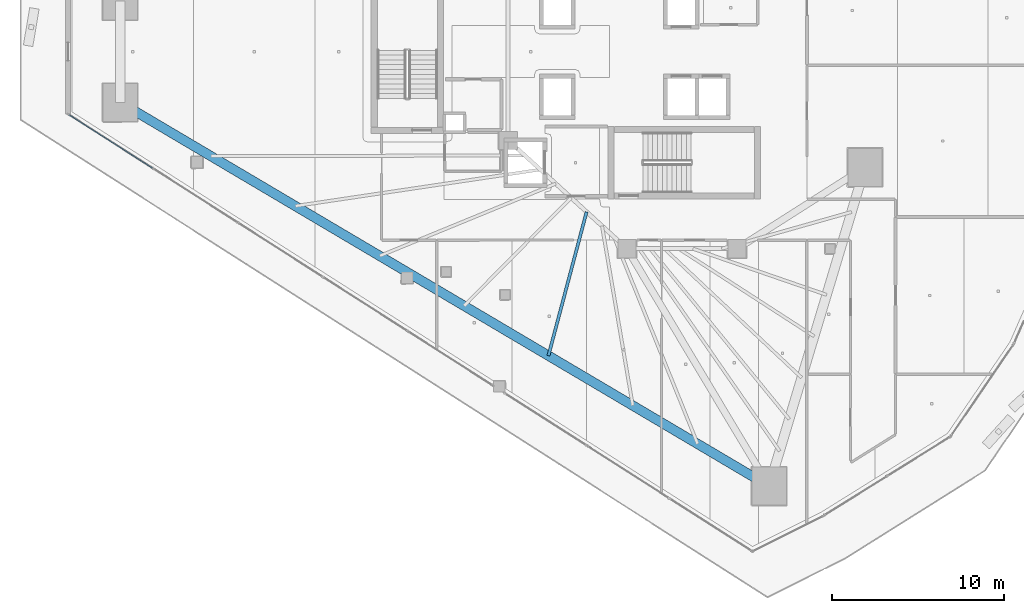
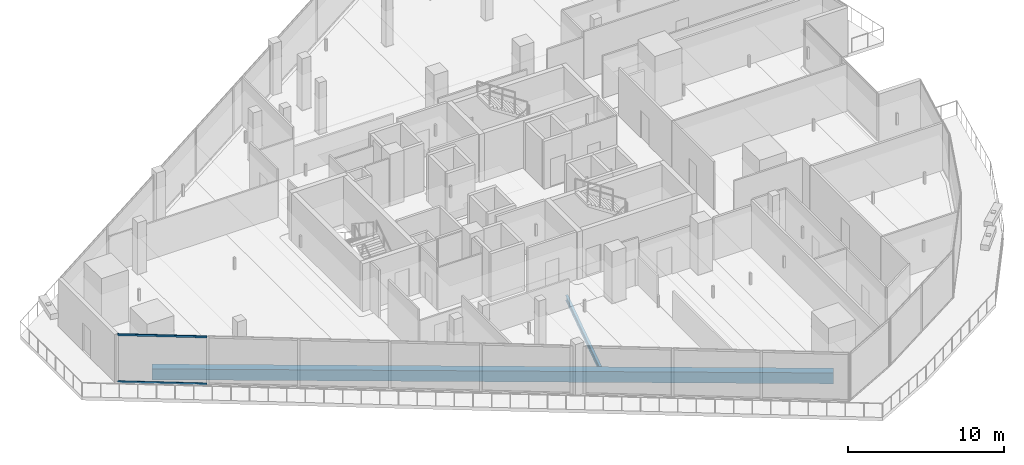
# One storey, part 3 of 36: 2 beams, 2 members, 1 element without a shape of its own.
"""IFC4 building model written with IfcOpenShell, lengths in metres."""

import ifcopenshell
import ifcopenshell.guid

model = None  # the IFC model being written
_history = None  # IfcOwnerHistory: only IFC2X3 demands one
_inside = {}  # id of a spatial element -> (the spatial element, [elements in it])
_under = {}  # id of a project, library or spatial element -> (it, [spatial elements below it])
_declared = {}  # id of a project -> (the project, [libraries it declares])
_typed = {}  # id of a type object -> (the type object, [elements of that type])
_made_of = {}  # id of a material, layer set ... -> (it, [elements and type objects made of it])


def new_model(schema):
    """Start an empty IFC model of exactly this schema.

    Asked for "IFC4X3", IfcOpenShell would pick the latest addendum, in which some entities
    have other attributes; the version numbers below select the first issue.
    IFC2X3 requires an IfcOwnerHistory on every rooted entity: one is made here for all.
    """
    global model, _history
    if schema == "IFC4X3":
        model = ifcopenshell.file(schema_version=(4, 3, 0, 0))
    else:
        model = ifcopenshell.file(schema=schema)
    _inside.clear()
    _under.clear()
    _declared.clear()
    _typed.clear()
    _made_of.clear()
    _history = None
    if model.schema == "IFC2X3":
        org = make("IfcOrganization", Name="unknown")
        user = make(
            "IfcPersonAndOrganization",
            ThePerson=make("IfcPerson", FamilyName="unknown"),
            TheOrganization=org,
        )
        app = make(
            "IfcApplication",
            ApplicationDeveloper=org,
            Version="unknown",
            ApplicationFullName="unknown",
            ApplicationIdentifier="unknown",
        )
        _history = make(
            "IfcOwnerHistory",
            OwningUser=user,
            OwningApplication=app,
            ChangeAction="ADDED",
            CreationDate=0,
        )
    return model


def make(cls, **values):
    """One entity of the class cls with the attributes given. An attribute that is None is left unset."""
    return model.create_entity(
        cls, **{name: value for name, value in values.items() if value is not None}
    )


def rooted(cls, **values):
    """An entity with a GlobalId (a new one), such as an element, a storey or a relation."""
    return make(cls, GlobalId=ifcopenshell.guid.new(), OwnerHistory=_history, **values)


def si_unit(unit_type, name, prefix=None):
    """IfcSIUnit, for example si_unit("LENGTHUNIT", "METRE", prefix="MILLI")."""
    return make("IfcSIUnit", UnitType=unit_type, Prefix=prefix, Name=name)


def assignment(units):
    """IfcUnitAssignment: the units of a project."""
    return None if units is None else make("IfcUnitAssignment", Units=units)


def point(xyz):
    """IfcCartesianPoint."""
    return None if xyz is None else make("IfcCartesianPoint", Coordinates=xyz)


def direction(xyz):
    """IfcDirection."""
    return None if xyz is None else make("IfcDirection", DirectionRatios=xyz)


def frame(location, z_axis=None, x_axis=None):
    """IfcAxis2Placement3D, a coordinate frame: its origin and axes. An axis left out is left unset."""
    return make(
        "IfcAxis2Placement3D",
        Location=point(location),
        Axis=direction(z_axis),
        RefDirection=direction(x_axis),
    )


def frame_2d(location, x_axis=None):
    """IfcAxis2Placement2D, a coordinate frame in the plane: its origin and x axis."""
    return make(
        "IfcAxis2Placement2D", Location=point(location), RefDirection=direction(x_axis)
    )


def origin():
    """The frame at (0, 0, 0) with its axes left unset."""
    return frame((0.0, 0.0, 0.0))


def origin_2d():
    """The frame at (0, 0) in the plane with its x axis left unset."""
    return frame_2d((0.0, 0.0))


def place(relative_to, where):
    """IfcLocalPlacement: puts the frame where relative to a parent placement (None: the world)."""
    return make(
        "IfcLocalPlacement", PlacementRelTo=relative_to, RelativePlacement=where
    )


def context(
    kind, dimensions, precision=None, world=None, true_north=None, identifier=None
):
    """IfcGeometricRepresentationContext, for example the 3D "Model" context."""
    return make(
        "IfcGeometricRepresentationContext",
        ContextIdentifier=identifier,
        ContextType=kind,
        CoordinateSpaceDimension=dimensions,
        Precision=precision,
        WorldCoordinateSystem=world,
        TrueNorth=true_north,
    )


def subcontext(parent, identifier, kind, view, scale=None):
    """IfcGeometricRepresentationSubContext, for example "Body" below "Model"."""
    return make(
        "IfcGeometricRepresentationSubContext",
        ContextIdentifier=identifier,
        ContextType=kind,
        ParentContext=parent,
        TargetScale=scale,
        TargetView=view,
    )


def project(units=None, contexts=None):
    """IfcProject with its units and contexts."""
    return rooted(
        "IfcProject",
        Name="project",
        RepresentationContexts=contexts,
        UnitsInContext=assignment(units),
    )


def spatial(cls, under=None, at=None, **own):
    """A site, building, storey or space (cls), placed at a placement, below another one or the project."""
    s = rooted(cls, ObjectPlacement=at, **own)
    if under is not None:
        _under.setdefault(under.id(), (under, []))[1].append(s)
    return s


def profile(cls, at=None, kind="AREA", **sizes):
    """A parametric profile (cls). Its sizes go by their IFC names, for example OverallWidth=200.0."""
    return make(cls, ProfileType=kind, Position=at, **sizes)


def rectangle(**sizes):
    """IfcRectangleProfileDef."""
    return profile("IfcRectangleProfileDef", **sizes)


def hollow_rectangle(**sizes):
    """IfcRectangleHollowProfileDef."""
    return profile("IfcRectangleHollowProfileDef", **sizes)


def i_section(**sizes):
    """IfcIShapeProfileDef."""
    return profile("IfcIShapeProfileDef", **sizes)


def extrude(swept, where, along, depth):
    """IfcExtrudedAreaSolid: the profile swept, set in the frame where, extruded along a direction by depth."""
    return make(
        "IfcExtrudedAreaSolid",
        SweptArea=swept,
        Position=where,
        ExtrudedDirection=direction(along),
        Depth=depth,
    )


def shape(context_of_items, identifier, shape_type, items):
    """IfcShapeRepresentation: the items that make up one representation, for example the "Body"."""
    return make(
        "IfcShapeRepresentation",
        ContextOfItems=context_of_items,
        RepresentationIdentifier=identifier,
        RepresentationType=shape_type,
        Items=items,
    )


def material(Name=None, Category=None):
    """IfcMaterial."""
    return make("IfcMaterial", Name=Name, Category=Category)


def layer(
    of_material, thickness, ventilated=None, Name=None, Category=None, Priority=None
):
    """IfcMaterialLayer: one layer of a wall or slab, of a material (None: an air gap)."""
    return make(
        "IfcMaterialLayer",
        Material=of_material,
        LayerThickness=thickness,
        IsVentilated=ventilated,
        Name=Name,
        Category=Category,
        Priority=Priority,
    )


def layer_set(layers, Name=None):
    """IfcMaterialLayerSet."""
    return make("IfcMaterialLayerSet", MaterialLayers=layers, LayerSetName=Name)


def material_profile(
    of_material, cross_section, Name=None, Category=None, Priority=None
):
    """IfcMaterialProfile: a cross section and its material."""
    return make(
        "IfcMaterialProfile",
        Name=Name,
        Material=of_material,
        Profile=cross_section,
        Priority=Priority,
        Category=Category,
    )


def profile_set(profiles, Name=None, composite=None):
    """IfcMaterialProfileSet."""
    return make(
        "IfcMaterialProfileSet",
        Name=Name,
        MaterialProfiles=profiles,
        CompositeProfile=composite,
    )


def made_of(thing, what):
    """Note that an element or type object is made of a material, layer set ...; save() writes the relation."""
    if what is not None:
        _made_of.setdefault(what.id(), (what, []))[1].append(thing)
    return thing


def type_object(cls, material=None, **own):
    """A type object (cls), such as IfcWallType, which elements share."""
    return made_of(rooted(cls, **own), material)


def element(
    cls,
    number,
    at=None,
    inside=None,
    cuts=None,
    type_object=None,
    material=None,
    context=None,
    identifier="Body",
    shape_type=None,
    held_by="IfcProductDefinitionShape",
    body=None,
    shapes=None,
    **own,
):
    """One element of the class cls, such as IfcWall. Its Tag is "e" and its number.

    at: its placement. inside: the storey or other place that contains it. cuts: it is an
    opening in that element (IfcRelVoidsElement). A single representation is given by context,
    identifier, shape_type and body (its items); several are given by shapes. held_by: the class
    of the entity that holds the representations. save() writes the other relations.
    """
    e = rooted(cls, Tag="e%d" % number, ObjectPlacement=at, **own)
    if body is not None:
        shapes = [shape(context, identifier, shape_type, body)]
    if shapes is not None:
        e.Representation = make(held_by, Representations=shapes)
    if inside is not None:
        _inside.setdefault(inside.id(), (inside, []))[1].append(e)
    if cuts is not None:
        rooted(
            "IfcRelVoidsElement", RelatingBuildingElement=cuts, RelatedOpeningElement=e
        )
    if type_object is not None:
        _typed.setdefault(type_object.id(), (type_object, []))[1].append(e)
    return made_of(e, material)


def aggregate(whole, parts):
    """IfcRelAggregates: a whole, such as a stair, and the parts it consists of."""
    return rooted("IfcRelAggregates", RelatingObject=whole, RelatedObjects=parts)


def save(model, path):
    """Write the relations noted so far, then the file.

    IfcRelAggregates (storeys below a building ...), IfcRelContainedInSpatialStructure (elements
    in a storey), IfcRelDefinesByType, IfcRelAssociatesMaterial and IfcRelDeclares: one each for
    every whole, place, type object, material and project.
    """
    for whole, parts in _under.values():
        aggregate(whole, parts)
    for where, things in _inside.values():
        rooted(
            "IfcRelContainedInSpatialStructure",
            RelatedElements=things,
            RelatingStructure=where,
        )
    for kind, things in _typed.values():
        rooted("IfcRelDefinesByType", RelatedObjects=things, RelatingType=kind)
    for what, things in _made_of.values():
        rooted("IfcRelAssociatesMaterial", RelatedObjects=things, RelatingMaterial=what)
    for by, libraries in _declared.values():
        rooted("IfcRelDeclares", RelatingContext=by, RelatedDefinitions=libraries)
    model.write(path)


model = new_model("IFC4")

# Units and contexts
model_context = context("Model", 3, precision=1e-05, world=origin(), true_north=direction((0.0, 1.0)))
body_context = subcontext(model_context, "Body", "Model", "MODEL_VIEW")
ifc_project = project(units=[si_unit("LENGTHUNIT", "METRE"), si_unit("AREAUNIT", "SQUARE_METRE"), si_unit("VOLUMEUNIT", "CUBIC_METRE"), si_unit("PLANEANGLEUNIT", "RADIAN"), si_unit("MASSUNIT", "GRAM", prefix="KILO")], contexts=[model_context])

# Site, building, storey
site_placement = place(None, origin())
site = spatial("IfcSite", under=ifc_project, at=site_placement, CompositionType="ELEMENT")
building_placement = place(site_placement, origin())
building = spatial("IfcBuilding", under=site, at=building_placement, Name="Qorvath Tower", CompositionType="ELEMENT")
storey_placement = place(building_placement, frame((0.0, 0.0, 170.550048828125)))
storey = spatial("IfcBuildingStorey", under=building, at=storey_placement, Name="L39", CompositionType="ELEMENT", Elevation=170.550048828125)

# Beams
ifc_material_1 = material(Name="Steel ASTM A992 Grade 50", Category="steel")
ifc_material_profile_1 = material_profile(ifc_material_1, i_section(OverallWidth=0.177978515625, OverallDepth=0.406005859375, WebThickness=0.0078125, FlangeThickness=0.0126953125, FilletRadius=0.010986328125, at=origin_2d()), Name="W16x40")
ifc_profile_set_1 = profile_set([ifc_material_profile_1], Name="Steel ASTM A992 Grade 50")
beam_type_1 = type_object("IfcBeamType", Name="BM-FJ3", PredefinedType="JOIST", material=ifc_profile_set_1)
beam_1_placement = place(storey_placement, frame((-25.946044921875, -9.30810546875, -0.47314453125), z_axis=(-0.256507909517, -0.966542131702, 0.0), x_axis=(0.966542131702, -0.256507909517, 0.0)))
element("IfcBeam", 1, at=beam_1_placement, inside=storey, type_object=beam_type_1, Name="Composite Floor Joist SW5 L39", PredefinedType="JOIST", context=body_context, shape_type="SweptSolid", body=[
    extrude(i_section(OverallWidth=0.177978515625, OverallDepth=0.406005859375, WebThickness=0.0078125, FlangeThickness=0.0126953125, FilletRadius=0.010986328125, at=origin_2d()), origin(), (0.0, 0.0, 1.0), 8.64697265625),
])
ifc_material_2 = material(Name="Concrete C50/60", Category="concrete")
ifc_material_profile_2 = material_profile(ifc_material_2, rectangle(XDim=0.550048828125, YDim=0.85009765625, at=origin_2d()), Name="RCB 850x550")
ifc_profile_set_2 = profile_set([ifc_material_profile_2], Name="Concrete C50/60")
beam_type_2 = type_object("IfcBeamType", Name="BM-RCB2", PredefinedType="SPANDREL", material=ifc_profile_set_2)
beam_2_placement = place(storey_placement, frame((-53.04931640625, -2.95068359375, -0.695068359375), z_axis=(0.860775142889, -0.508985415689, 0.0), x_axis=(0.508985415689, 0.860775142889, 0.0)))
element("IfcBeam", 2, at=beam_2_placement, inside=storey, type_object=beam_type_2, Name="Perimeter Loggia Frame Beam MC2-MC3 L39", PredefinedType="SPANDREL", context=body_context, shape_type="SweptSolid", body=[
    extrude(rectangle(XDim=0.550048828125, YDim=0.85009765625, at=origin_2d()), origin(), (0.0, 0.0, 1.0), 43.8037109375),
])

# Curtain wall, members
ifc_material_3 = material(Name="Anodised aluminium and triple low-E glass", Category="aluminium")
ifc_layer = layer(ifc_material_3, 0.179931640625)
ifc_layer_set = layer_set([ifc_layer], Name="CW-SYS-3")
curtain_wall_type = type_object("IfcCurtainWallType", Name="CW-SYS-3", PredefinedType="NOTDEFINED", material=ifc_layer_set)
curtain_wall_placement = place(storey_placement, origin())
curtain_wall = element("IfcCurtainWall", 3, at=curtain_wall_placement, inside=storey, type_object=curtain_wall_type, Name="Curtain Wall CW-3 CW-T-L39-2.1", PredefinedType="NOTDEFINED")
ifc_material_4 = material(Name="Anodised aluminium 6063-T6", Category="aluminium")
ifc_material_profile_3 = material_profile(ifc_material_4, hollow_rectangle(XDim=0.06494140625, YDim=0.159912109375, WallThickness=0.00341796875, InnerFilletRadius=0.00341796875, OuterFilletRadius=0.007080078125, at=origin_2d()), Name="CWT 160x65")
ifc_profile_set_3 = profile_set([ifc_material_profile_3], Name="Anodised aluminium 6063-T6")
member_type = type_object("IfcMemberType", Name="CWT-160", PredefinedType="USERDEFINED", material=ifc_profile_set_3)
member_1_placement = place(storey_placement, frame((-56.0263671875, -3.66552734375, 0.032470703125), z_axis=(0.842601233271, -0.538537985374, 0.0), x_axis=(0.538537985374, 0.842601233271, 0.0)))
member_1 = element("IfcMember", 4, at=member_1_placement, type_object=member_type, Name="CW-3 transom 1.1", ObjectType="TRANSOM", PredefinedType="USERDEFINED", context=body_context, shape_type="SweptSolid", body=[
    extrude(hollow_rectangle(XDim=0.06494140625, YDim=0.159912109375, WallThickness=0.00341796875, InnerFilletRadius=0.00341796875, OuterFilletRadius=0.007080078125, at=origin_2d()), origin(), (0.0, 0.0, 1.0), 5.76416015625),
])
member_2_placement = place(storey_placement, frame((-56.0263671875, -3.66552734375, 3.717529296875), z_axis=(0.842601233271, -0.538537985374, 0.0), x_axis=(0.538537985374, 0.842601233271, 0.0)))
member_2 = element("IfcMember", 5, at=member_2_placement, type_object=member_type, Name="CW-3 transom 1.2", ObjectType="TRANSOM", PredefinedType="USERDEFINED", context=body_context, shape_type="SweptSolid", body=[
    extrude(hollow_rectangle(XDim=0.06494140625, YDim=0.159912109375, WallThickness=0.00341796875, InnerFilletRadius=0.00341796875, OuterFilletRadius=0.007080078125, at=origin_2d()), origin(), (0.0, 0.0, 1.0), 5.76416015625),
])
aggregate(curtain_wall, [member_1, member_2])

save(model, "model.ifc")
